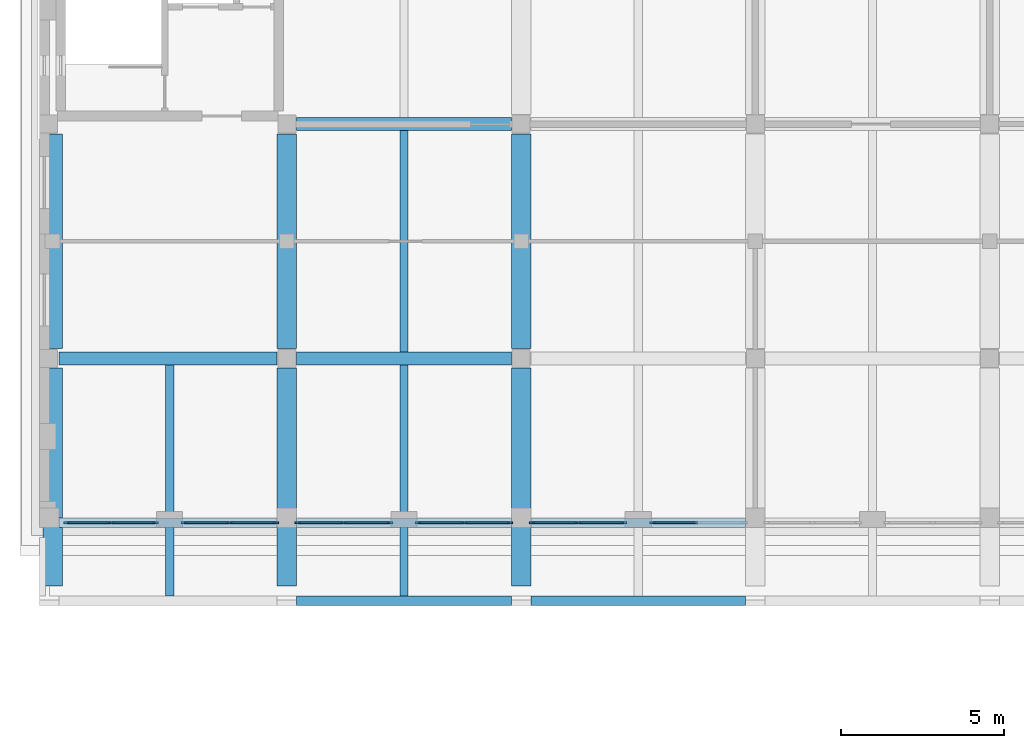
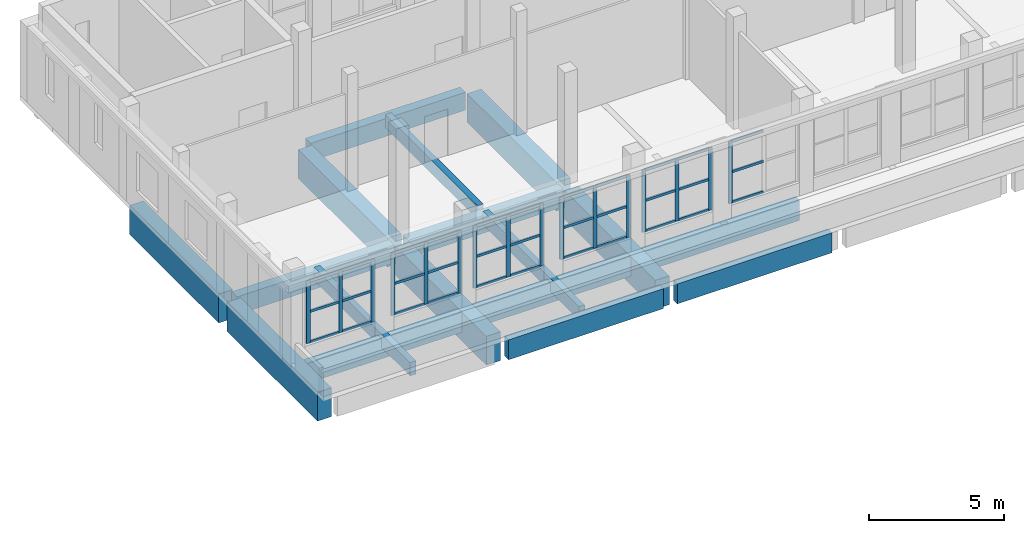
# One storey, part 2 of 30: 49 members, 17 beams, 6 elements without a shape of their own.
"""IFC4 building model written with IfcOpenShell, lengths in metres."""

import ifcopenshell
import ifcopenshell.guid

model = None  # the IFC model being written
_history = None  # IfcOwnerHistory: only IFC2X3 demands one
_inside = {}  # id of a spatial element -> (the spatial element, [elements in it])
_under = {}  # id of a project, library or spatial element -> (it, [spatial elements below it])
_declared = {}  # id of a project -> (the project, [libraries it declares])
_typed = {}  # id of a type object -> (the type object, [elements of that type])
_made_of = {}  # id of a material, layer set ... -> (it, [elements and type objects made of it])


def new_model(schema):
    """Start an empty IFC model of exactly this schema.

    Asked for "IFC4X3", IfcOpenShell would pick the latest addendum, in which some entities
    have other attributes; the version numbers below select the first issue.
    IFC2X3 requires an IfcOwnerHistory on every rooted entity: one is made here for all.
    """
    global model, _history
    if schema == "IFC4X3":
        model = ifcopenshell.file(schema_version=(4, 3, 0, 0))
    else:
        model = ifcopenshell.file(schema=schema)
    _inside.clear()
    _under.clear()
    _declared.clear()
    _typed.clear()
    _made_of.clear()
    _history = None
    if model.schema == "IFC2X3":
        org = make("IfcOrganization", Name="unknown")
        user = make(
            "IfcPersonAndOrganization",
            ThePerson=make("IfcPerson", FamilyName="unknown"),
            TheOrganization=org,
        )
        app = make(
            "IfcApplication",
            ApplicationDeveloper=org,
            Version="unknown",
            ApplicationFullName="unknown",
            ApplicationIdentifier="unknown",
        )
        _history = make(
            "IfcOwnerHistory",
            OwningUser=user,
            OwningApplication=app,
            ChangeAction="ADDED",
            CreationDate=0,
        )
    return model


def make(cls, **values):
    """One entity of the class cls with the attributes given. An attribute that is None is left unset."""
    return model.create_entity(
        cls, **{name: value for name, value in values.items() if value is not None}
    )


def rooted(cls, **values):
    """An entity with a GlobalId (a new one), such as an element, a storey or a relation."""
    return make(cls, GlobalId=ifcopenshell.guid.new(), OwnerHistory=_history, **values)


def si_unit(unit_type, name, prefix=None):
    """IfcSIUnit, for example si_unit("LENGTHUNIT", "METRE", prefix="MILLI")."""
    return make("IfcSIUnit", UnitType=unit_type, Prefix=prefix, Name=name)


def assignment(units):
    """IfcUnitAssignment: the units of a project."""
    return None if units is None else make("IfcUnitAssignment", Units=units)


def point(xyz):
    """IfcCartesianPoint."""
    return None if xyz is None else make("IfcCartesianPoint", Coordinates=xyz)


def direction(xyz):
    """IfcDirection."""
    return None if xyz is None else make("IfcDirection", DirectionRatios=xyz)


def frame(location, z_axis=None, x_axis=None):
    """IfcAxis2Placement3D, a coordinate frame: its origin and axes. An axis left out is left unset."""
    return make(
        "IfcAxis2Placement3D",
        Location=point(location),
        Axis=direction(z_axis),
        RefDirection=direction(x_axis),
    )


def frame_2d(location, x_axis=None):
    """IfcAxis2Placement2D, a coordinate frame in the plane: its origin and x axis."""
    return make(
        "IfcAxis2Placement2D", Location=point(location), RefDirection=direction(x_axis)
    )


def origin():
    """The frame at (0, 0, 0) with its axes left unset."""
    return frame((0.0, 0.0, 0.0))


def origin_2d():
    """The frame at (0, 0) in the plane with its x axis left unset."""
    return frame_2d((0.0, 0.0))


def place(relative_to, where):
    """IfcLocalPlacement: puts the frame where relative to a parent placement (None: the world)."""
    return make(
        "IfcLocalPlacement", PlacementRelTo=relative_to, RelativePlacement=where
    )


def context(
    kind, dimensions, precision=None, world=None, true_north=None, identifier=None
):
    """IfcGeometricRepresentationContext, for example the 3D "Model" context."""
    return make(
        "IfcGeometricRepresentationContext",
        ContextIdentifier=identifier,
        ContextType=kind,
        CoordinateSpaceDimension=dimensions,
        Precision=precision,
        WorldCoordinateSystem=world,
        TrueNorth=true_north,
    )


def subcontext(parent, identifier, kind, view, scale=None):
    """IfcGeometricRepresentationSubContext, for example "Body" below "Model"."""
    return make(
        "IfcGeometricRepresentationSubContext",
        ContextIdentifier=identifier,
        ContextType=kind,
        ParentContext=parent,
        TargetScale=scale,
        TargetView=view,
    )


def project(units=None, contexts=None):
    """IfcProject with its units and contexts."""
    return rooted(
        "IfcProject",
        Name="project",
        RepresentationContexts=contexts,
        UnitsInContext=assignment(units),
    )


def spatial(cls, under=None, at=None, **own):
    """A site, building, storey or space (cls), placed at a placement, below another one or the project."""
    s = rooted(cls, ObjectPlacement=at, **own)
    if under is not None:
        _under.setdefault(under.id(), (under, []))[1].append(s)
    return s


def profile(cls, at=None, kind="AREA", **sizes):
    """A parametric profile (cls). Its sizes go by their IFC names, for example OverallWidth=200.0."""
    return make(cls, ProfileType=kind, Position=at, **sizes)


def rectangle(**sizes):
    """IfcRectangleProfileDef."""
    return profile("IfcRectangleProfileDef", **sizes)


def extrude(swept, where, along, depth):
    """IfcExtrudedAreaSolid: the profile swept, set in the frame where, extruded along a direction by depth."""
    return make(
        "IfcExtrudedAreaSolid",
        SweptArea=swept,
        Position=where,
        ExtrudedDirection=direction(along),
        Depth=depth,
    )


def shape(context_of_items, identifier, shape_type, items):
    """IfcShapeRepresentation: the items that make up one representation, for example the "Body"."""
    return make(
        "IfcShapeRepresentation",
        ContextOfItems=context_of_items,
        RepresentationIdentifier=identifier,
        RepresentationType=shape_type,
        Items=items,
    )


def material(Name=None, Category=None):
    """IfcMaterial."""
    return make("IfcMaterial", Name=Name, Category=Category)


def layer(
    of_material, thickness, ventilated=None, Name=None, Category=None, Priority=None
):
    """IfcMaterialLayer: one layer of a wall or slab, of a material (None: an air gap)."""
    return make(
        "IfcMaterialLayer",
        Material=of_material,
        LayerThickness=thickness,
        IsVentilated=ventilated,
        Name=Name,
        Category=Category,
        Priority=Priority,
    )


def layer_set(layers, Name=None):
    """IfcMaterialLayerSet."""
    return make("IfcMaterialLayerSet", MaterialLayers=layers, LayerSetName=Name)


def material_profile(
    of_material, cross_section, Name=None, Category=None, Priority=None
):
    """IfcMaterialProfile: a cross section and its material."""
    return make(
        "IfcMaterialProfile",
        Name=Name,
        Material=of_material,
        Profile=cross_section,
        Priority=Priority,
        Category=Category,
    )


def profile_set(profiles, Name=None, composite=None):
    """IfcMaterialProfileSet."""
    return make(
        "IfcMaterialProfileSet",
        Name=Name,
        MaterialProfiles=profiles,
        CompositeProfile=composite,
    )


def made_of(thing, what):
    """Note that an element or type object is made of a material, layer set ...; save() writes the relation."""
    if what is not None:
        _made_of.setdefault(what.id(), (what, []))[1].append(thing)
    return thing


def type_object(cls, material=None, **own):
    """A type object (cls), such as IfcWallType, which elements share."""
    return made_of(rooted(cls, **own), material)


def element(
    cls,
    number,
    at=None,
    inside=None,
    cuts=None,
    type_object=None,
    material=None,
    context=None,
    identifier="Body",
    shape_type=None,
    held_by="IfcProductDefinitionShape",
    body=None,
    shapes=None,
    **own,
):
    """One element of the class cls, such as IfcWall. Its Tag is "e" and its number.

    at: its placement. inside: the storey or other place that contains it. cuts: it is an
    opening in that element (IfcRelVoidsElement). A single representation is given by context,
    identifier, shape_type and body (its items); several are given by shapes. held_by: the class
    of the entity that holds the representations. save() writes the other relations.
    """
    e = rooted(cls, Tag="e%d" % number, ObjectPlacement=at, **own)
    if body is not None:
        shapes = [shape(context, identifier, shape_type, body)]
    if shapes is not None:
        e.Representation = make(held_by, Representations=shapes)
    if inside is not None:
        _inside.setdefault(inside.id(), (inside, []))[1].append(e)
    if cuts is not None:
        rooted(
            "IfcRelVoidsElement", RelatingBuildingElement=cuts, RelatedOpeningElement=e
        )
    if type_object is not None:
        _typed.setdefault(type_object.id(), (type_object, []))[1].append(e)
    return made_of(e, material)


def aggregate(whole, parts):
    """IfcRelAggregates: a whole, such as a stair, and the parts it consists of."""
    return rooted("IfcRelAggregates", RelatingObject=whole, RelatedObjects=parts)


def save(model, path):
    """Write the relations noted so far, then the file.

    IfcRelAggregates (storeys below a building ...), IfcRelContainedInSpatialStructure (elements
    in a storey), IfcRelDefinesByType, IfcRelAssociatesMaterial and IfcRelDeclares: one each for
    every whole, place, type object, material and project.
    """
    for whole, parts in _under.values():
        aggregate(whole, parts)
    for where, things in _inside.values():
        rooted(
            "IfcRelContainedInSpatialStructure",
            RelatedElements=things,
            RelatingStructure=where,
        )
    for kind, things in _typed.values():
        rooted("IfcRelDefinesByType", RelatedObjects=things, RelatingType=kind)
    for what, things in _made_of.values():
        rooted("IfcRelAssociatesMaterial", RelatedObjects=things, RelatingMaterial=what)
    for by, libraries in _declared.values():
        rooted("IfcRelDeclares", RelatingContext=by, RelatedDefinitions=libraries)
    model.write(path)


model = new_model("IFC4")

# Units and contexts
model_context = context("Model", 3, precision=1e-05, world=origin(), true_north=direction((0.0, 1.0)))
body_context = subcontext(model_context, "Body", "Model", "MODEL_VIEW")
ifc_project = project(units=[si_unit("LENGTHUNIT", "METRE"), si_unit("AREAUNIT", "SQUARE_METRE"), si_unit("VOLUMEUNIT", "CUBIC_METRE"), si_unit("PLANEANGLEUNIT", "RADIAN"), si_unit("MASSUNIT", "GRAM", prefix="KILO")], contexts=[model_context])

# Site, building, storey
site_placement = place(None, origin())
site = spatial("IfcSite", under=ifc_project, at=site_placement, CompositionType="ELEMENT")
building_placement = place(site_placement, origin())
building = spatial("IfcBuilding", under=site, at=building_placement, Name="Ussher Court Research Institute", CompositionType="ELEMENT")
storey_placement = place(building_placement, frame((0.0, 0.0, 27.89990234375)))
storey = spatial("IfcBuildingStorey", under=building, at=storey_placement, Name="L06", CompositionType="ELEMENT", Elevation=27.89990234375)

# Curtain wall, member
ifc_material_1 = material(Name="Bronze anodised aluminium with insulated low-e glass", Category="aluminium")
ifc_layer = layer(ifc_material_1, 0.1201171875)
ifc_layer_set = layer_set([ifc_layer], Name="Bronze anodised aluminium with insulated low-e glass")
curtain_wall_type = type_object("IfcCurtainWallType", Name="Curtain wall attic gallery glazing", PredefinedType="NOTDEFINED", material=ifc_layer_set)
curtain_wall_1_placement = place(storey_placement, origin())
curtain_wall_1 = element("IfcCurtainWall", 1, at=curtain_wall_1_placement, inside=storey, type_object=curtain_wall_type, Name="Curtain wall CW11 L06", PredefinedType="NOTDEFINED")
ifc_material_2 = material(Name="Bronze anodised aluminium", Category="aluminium")
ifc_material_profile_1 = material_profile(ifc_material_2, rectangle(XDim=0.06005859375, YDim=0.159912109375, at=origin_2d()), Name="Mullion 60x160")
ifc_profile_set_1 = profile_set([ifc_material_profile_1], Name="Bronze anodised aluminium")
member_type_1 = type_object("IfcMemberType", Name="Mullion 60x160", PredefinedType="MULLION", material=ifc_profile_set_1)
member_1_placement = place(storey_placement, frame((21.429931640625, 70.949951171875, 0.60009765625), z_axis=(0.0, 0.0, 1.0), x_axis=(0.0, -1.0, 0.0)))
member_1 = element("IfcMember", 2, at=member_1_placement, type_object=member_type_1, Name="CW11 mullion 3", PredefinedType="MULLION", context=body_context, shape_type="SweptSolid", body=[
    extrude(rectangle(XDim=0.06005859375, YDim=0.159912109375, at=origin_2d()), origin(), (0.0, 0.0, 1.0), 2.800048828125),
])

# Curtain wall, members
curtain_wall_2_placement = place(storey_placement, origin())
curtain_wall_2 = element("IfcCurtainWall", 3, at=curtain_wall_2_placement, inside=storey, type_object=curtain_wall_type, Name="Curtain wall CW11 L06", PredefinedType="NOTDEFINED")
member_2_placement = place(storey_placement, frame((20.570068359375, 70.949951171875, 0.60009765625), z_axis=(0.0, 0.0, 1.0), x_axis=(0.0, -1.0, 0.0)))
member_2 = element("IfcMember", 4, at=member_2_placement, type_object=member_type_1, Name="CW11 mullion 1", PredefinedType="MULLION", context=body_context, shape_type="SweptSolid", body=[
    extrude(rectangle(XDim=0.06005859375, YDim=0.159912109375, at=origin_2d()), origin(), (0.0, 0.0, 1.0), 2.800048828125),
])
member_3_placement = place(storey_placement, frame((19.14990234375, 70.949951171875, 0.60009765625), z_axis=(0.0, 0.0, 1.0), x_axis=(0.0, -1.0, 0.0)))
member_3 = element("IfcMember", 5, at=member_3_placement, type_object=member_type_1, Name="CW11 mullion 2", PredefinedType="MULLION", context=body_context, shape_type="SweptSolid", body=[
    extrude(rectangle(XDim=0.06005859375, YDim=0.159912109375, at=origin_2d()), origin(), (0.0, 0.0, 1.0), 2.800048828125),
])
member_4_placement = place(storey_placement, frame((17.72998046875, 70.949951171875, 0.60009765625), z_axis=(0.0, 0.0, 1.0), x_axis=(0.0, -1.0, 0.0)))
member_4 = element("IfcMember", 6, at=member_4_placement, type_object=member_type_1, Name="CW11 mullion 3", PredefinedType="MULLION", context=body_context, shape_type="SweptSolid", body=[
    extrude(rectangle(XDim=0.06005859375, YDim=0.159912109375, at=origin_2d()), origin(), (0.0, 0.0, 1.0), 2.800048828125),
])

curtain_wall_3_placement = place(storey_placement, origin())
curtain_wall_3 = element("IfcCurtainWall", 7, at=curtain_wall_3_placement, inside=storey, type_object=curtain_wall_type, Name="Curtain wall CW11 L06", PredefinedType="NOTDEFINED")
member_5_placement = place(storey_placement, frame((17.070068359375, 70.949951171875, 0.60009765625), z_axis=(0.0, 0.0, 1.0), x_axis=(0.0, -1.0, 0.0)))
member_5 = element("IfcMember", 8, at=member_5_placement, type_object=member_type_1, Name="CW11 mullion 1", PredefinedType="MULLION", context=body_context, shape_type="SweptSolid", body=[
    extrude(rectangle(XDim=0.06005859375, YDim=0.159912109375, at=origin_2d()), origin(), (0.0, 0.0, 1.0), 2.800048828125),
])
member_6_placement = place(storey_placement, frame((15.64990234375, 70.949951171875, 0.60009765625), z_axis=(0.0, 0.0, 1.0), x_axis=(0.0, -1.0, 0.0)))
member_6 = element("IfcMember", 9, at=member_6_placement, type_object=member_type_1, Name="CW11 mullion 2", PredefinedType="MULLION", context=body_context, shape_type="SweptSolid", body=[
    extrude(rectangle(XDim=0.06005859375, YDim=0.159912109375, at=origin_2d()), origin(), (0.0, 0.0, 1.0), 2.800048828125),
])
member_7_placement = place(storey_placement, frame((14.22998046875, 70.949951171875, 0.60009765625), z_axis=(0.0, 0.0, 1.0), x_axis=(0.0, -1.0, 0.0)))
member_7 = element("IfcMember", 10, at=member_7_placement, type_object=member_type_1, Name="CW11 mullion 3", PredefinedType="MULLION", context=body_context, shape_type="SweptSolid", body=[
    extrude(rectangle(XDim=0.06005859375, YDim=0.159912109375, at=origin_2d()), origin(), (0.0, 0.0, 1.0), 2.800048828125),
])

curtain_wall_4_placement = place(storey_placement, origin())
curtain_wall_4 = element("IfcCurtainWall", 11, at=curtain_wall_4_placement, inside=storey, type_object=curtain_wall_type, Name="Curtain wall CW11 L06", PredefinedType="NOTDEFINED")
member_8_placement = place(storey_placement, frame((13.3701171875, 70.949951171875, 0.60009765625), z_axis=(0.0, 0.0, 1.0), x_axis=(0.0, -1.0, 0.0)))
member_8 = element("IfcMember", 12, at=member_8_placement, type_object=member_type_1, Name="CW11 mullion 1", PredefinedType="MULLION", context=body_context, shape_type="SweptSolid", body=[
    extrude(rectangle(XDim=0.06005859375, YDim=0.159912109375, at=origin_2d()), origin(), (0.0, 0.0, 1.0), 2.800048828125),
])
member_9_placement = place(storey_placement, frame((11.949951171875, 70.949951171875, 0.60009765625), z_axis=(0.0, 0.0, 1.0), x_axis=(0.0, -1.0, 0.0)))
member_9 = element("IfcMember", 13, at=member_9_placement, type_object=member_type_1, Name="CW11 mullion 2", PredefinedType="MULLION", context=body_context, shape_type="SweptSolid", body=[
    extrude(rectangle(XDim=0.06005859375, YDim=0.159912109375, at=origin_2d()), origin(), (0.0, 0.0, 1.0), 2.800048828125),
])
member_10_placement = place(storey_placement, frame((10.530029296875, 70.949951171875, 0.60009765625), z_axis=(0.0, 0.0, 1.0), x_axis=(0.0, -1.0, 0.0)))
member_10 = element("IfcMember", 14, at=member_10_placement, type_object=member_type_1, Name="CW11 mullion 3", PredefinedType="MULLION", context=body_context, shape_type="SweptSolid", body=[
    extrude(rectangle(XDim=0.06005859375, YDim=0.159912109375, at=origin_2d()), origin(), (0.0, 0.0, 1.0), 2.800048828125),
])

curtain_wall_5_placement = place(storey_placement, origin())
curtain_wall_5 = element("IfcCurtainWall", 15, at=curtain_wall_5_placement, inside=storey, type_object=curtain_wall_type, Name="Curtain wall CW11 L06", PredefinedType="NOTDEFINED")
member_11_placement = place(storey_placement, frame((9.8701171875, 70.949951171875, 0.60009765625), z_axis=(0.0, 0.0, 1.0), x_axis=(0.0, -1.0, 0.0)))
member_11 = element("IfcMember", 16, at=member_11_placement, type_object=member_type_1, Name="CW11 mullion 1", PredefinedType="MULLION", context=body_context, shape_type="SweptSolid", body=[
    extrude(rectangle(XDim=0.06005859375, YDim=0.159912109375, at=origin_2d()), origin(), (0.0, 0.0, 1.0), 2.800048828125),
])
member_12_placement = place(storey_placement, frame((8.449951171875, 70.949951171875, 0.60009765625), z_axis=(0.0, 0.0, 1.0), x_axis=(0.0, -1.0, 0.0)))
member_12 = element("IfcMember", 17, at=member_12_placement, type_object=member_type_1, Name="CW11 mullion 2", PredefinedType="MULLION", context=body_context, shape_type="SweptSolid", body=[
    extrude(rectangle(XDim=0.06005859375, YDim=0.159912109375, at=origin_2d()), origin(), (0.0, 0.0, 1.0), 2.800048828125),
])
member_13_placement = place(storey_placement, frame((7.030029296875, 70.949951171875, 0.60009765625), z_axis=(0.0, 0.0, 1.0), x_axis=(0.0, -1.0, 0.0)))
member_13 = element("IfcMember", 18, at=member_13_placement, type_object=member_type_1, Name="CW11 mullion 3", PredefinedType="MULLION", context=body_context, shape_type="SweptSolid", body=[
    extrude(rectangle(XDim=0.06005859375, YDim=0.159912109375, at=origin_2d()), origin(), (0.0, 0.0, 1.0), 2.800048828125),
])

curtain_wall_6_placement = place(storey_placement, origin())
curtain_wall_6 = element("IfcCurtainWall", 19, at=curtain_wall_6_placement, inside=storey, type_object=curtain_wall_type, Name="Curtain wall CW11 L06", PredefinedType="NOTDEFINED")
member_14_placement = place(storey_placement, frame((6.169921875, 70.949951171875, 0.60009765625), z_axis=(0.0, 0.0, 1.0), x_axis=(0.0, -1.0, 0.0)))
member_14 = element("IfcMember", 20, at=member_14_placement, type_object=member_type_1, Name="CW11 mullion 1", PredefinedType="MULLION", context=body_context, shape_type="SweptSolid", body=[
    extrude(rectangle(XDim=0.06005859375, YDim=0.159912109375, at=origin_2d()), origin(), (0.0, 0.0, 1.0), 2.800048828125),
])
member_15_placement = place(storey_placement, frame((4.800048828125, 70.949951171875, 0.60009765625), z_axis=(0.0, 0.0, 1.0), x_axis=(0.0, -1.0, 0.0)))
member_15 = element("IfcMember", 21, at=member_15_placement, type_object=member_type_1, Name="CW11 mullion 2", PredefinedType="MULLION", context=body_context, shape_type="SweptSolid", body=[
    extrude(rectangle(XDim=0.06005859375, YDim=0.159912109375, at=origin_2d()), origin(), (0.0, 0.0, 1.0), 2.800048828125),
])
member_16_placement = place(storey_placement, frame((3.429931640625, 70.949951171875, 0.60009765625), z_axis=(0.0, 0.0, 1.0), x_axis=(0.0, -1.0, 0.0)))
member_16 = element("IfcMember", 22, at=member_16_placement, type_object=member_type_1, Name="CW11 mullion 3", PredefinedType="MULLION", context=body_context, shape_type="SweptSolid", body=[
    extrude(rectangle(XDim=0.06005859375, YDim=0.159912109375, at=origin_2d()), origin(), (0.0, 0.0, 1.0), 2.800048828125),
])

# Beams
ifc_material_3 = material(Name="Concrete C35/45", Category="concrete")
ifc_material_profile_2 = material_profile(ifc_material_3, rectangle(XDim=0.25, YDim=0.60009765625, at=origin_2d()), Name="RC 250x600")
ifc_profile_set_2 = profile_set([ifc_material_profile_2], Name="Concrete C35/45")
beam_type_1 = type_object("IfcBeamType", Name="RC 250x600 beam", PredefinedType="BEAM", material=ifc_profile_set_2)
for number, where, z_axis, x_axis, name in (
    (23, (6.60009765625, 68.699951171875, -0.2998046875), (0.0, 1.0, 0.0), (-1.0, 0.0, 0.0), "B14 V5 L06-01"),
    (24, (13.800048828125, 68.699951171875, -0.2998046875), (0.0, 1.0, 0.0), (-1.0, 0.0, 0.0), "B14 V5 L06-02"),
):
    element("IfcBeam", number, at=place(storey_placement, frame(where, z_axis=z_axis, x_axis=x_axis)), inside=storey, type_object=beam_type_1, Name=name, PredefinedType="BEAM", context=body_context, shape_type="SweptSolid", body=[
        extrude(rectangle(XDim=0.25, YDim=0.60009765625, at=origin_2d()), origin(), (0.0, 0.0, 1.0), 7.10009765625),
    ])
beam_1_placement = place(storey_placement, frame((13.800048828125, 76.199951171875, -0.2998046875), z_axis=(0.0, 1.0, 0.0), x_axis=(-1.0, 0.0, 0.0)))
element("IfcBeam", 25, at=beam_1_placement, inside=storey, type_object=beam_type_1, Name="B14 V5 L06-03", PredefinedType="BEAM", context=body_context, shape_type="SweptSolid", body=[
    extrude(rectangle(XDim=0.25, YDim=0.60009765625, at=origin_2d()), origin(), (0.0, 0.0, 1.0), 6.800048828125),
])
ifc_material_4 = material(Name="Concrete C35/45", Category="concrete")
ifc_material_profile_3 = material_profile(ifc_material_4, rectangle(XDim=0.300048828125, YDim=0.89990234375, at=origin_2d()), Name="RC 300x900")
ifc_profile_set_3 = profile_set([ifc_material_profile_3], Name="Concrete C35/45")
beam_type_2 = type_object("IfcBeamType", Name="RC 300x900 beam", PredefinedType="BEAM", material=ifc_profile_set_3)
for number, where, z_axis, x_axis, name in (
    (26, (10.5, 68.550048828125, -0.64990234375), (1.0, 0.0, 0.0), (0.0, 1.0, 0.0), "SB2 V5 L06-02"),
    (27, (17.699951171875, 68.550048828125, -0.64990234375), (1.0, 0.0, 0.0), (0.0, 1.0, 0.0), "SB2 V5 L06-03"),
):
    element("IfcBeam", number, at=place(storey_placement, frame(where, z_axis=z_axis, x_axis=x_axis)), inside=storey, type_object=beam_type_2, Name=name, PredefinedType="BEAM", context=body_context, shape_type="SweptSolid", body=[
        extrude(rectangle(XDim=0.300048828125, YDim=0.89990234375, at=origin_2d()), origin(), (0.0, 0.0, 1.0), 6.60009765625),
    ])
beam_2_placement = place(storey_placement, frame((3.199951171875, 70.949951171875, -0.64990234375), z_axis=(1.0, 0.0, 0.0), x_axis=(0.0, 1.0, 0.0)))
element("IfcBeam", 28, at=beam_2_placement, inside=storey, type_object=beam_type_2, Name="SB2 V5 L06-23", PredefinedType="BEAM", context=body_context, shape_type="SweptSolid", body=[
    extrude(rectangle(XDim=0.300048828125, YDim=0.89990234375, at=origin_2d()), origin(), (0.0, 0.0, 1.0), 6.699951171875),
])
for number, where, z_axis, x_axis, name in (
    (29, (10.5, 70.949951171875, -0.64990234375), (1.0, 0.0, 0.0), (0.0, 1.0, 0.0), "SB2 V5 L06-24"),
    (30, (17.699951171875, 70.949951171875, -0.64990234375), (1.0, 0.0, 0.0), (0.0, 1.0, 0.0), "SB2 V5 L06-25"),
):
    element("IfcBeam", number, at=place(storey_placement, frame(where, z_axis=z_axis, x_axis=x_axis)), inside=storey, type_object=beam_type_2, Name=name, PredefinedType="BEAM", context=body_context, shape_type="SweptSolid", body=[
        extrude(rectangle(XDim=0.300048828125, YDim=0.89990234375, at=origin_2d()), origin(), (0.0, 0.0, 1.0), 6.60009765625),
    ])
ifc_material_5 = material(Name="Concrete C35/45", Category="concrete")
ifc_material_profile_4 = material_profile(ifc_material_5, rectangle(XDim=0.39990234375, YDim=0.800048828125, at=origin_2d()), Name="RC 400x800")
ifc_profile_set_4 = profile_set([ifc_material_profile_4], Name="Concrete C35/45")
beam_type_3 = type_object("IfcBeamType", Name="RC 400x800 beam", PredefinedType="BEAM", material=ifc_profile_set_4)
beam_3_placement = place(storey_placement, frame((3.199951171875, 76.0, -0.599853515625), z_axis=(1.0, 0.0, 0.0), x_axis=(0.0, 1.0, 0.0)))
element("IfcBeam", 31, at=beam_3_placement, inside=storey, type_object=beam_type_3, Name="B17 V5 L06-01", PredefinedType="BEAM", context=body_context, shape_type="SweptSolid", body=[
    extrude(rectangle(XDim=0.39990234375, YDim=0.800048828125, at=origin_2d()), origin(), (0.0, 0.0, 1.0), 6.699951171875),
])
for number, where, z_axis, x_axis, name in (
    (32, (10.5, 76.0, -0.599853515625), (1.0, 0.0, 0.0), (0.0, 1.0, 0.0), "B17 V5 L06-02"),
    (33, (10.5, 83.199951171875, -0.599853515625), (1.0, 0.0, 0.0), (0.0, 1.0, 0.0), "B17 V5 L06-12"),
):
    element("IfcBeam", number, at=place(storey_placement, frame(where, z_axis=z_axis, x_axis=x_axis)), inside=storey, type_object=beam_type_3, Name=name, PredefinedType="BEAM", context=body_context, shape_type="SweptSolid", body=[
        extrude(rectangle(XDim=0.39990234375, YDim=0.800048828125, at=origin_2d()), origin(), (0.0, 0.0, 1.0), 6.60009765625),
    ])
ifc_material_6 = material(Name="Concrete C35/45", Category="concrete")
ifc_material_profile_5 = material_profile(ifc_material_6, rectangle(XDim=0.60009765625, YDim=1.300048828125, at=origin_2d()), Name="RC 600x1300")
ifc_profile_set_5 = profile_set([ifc_material_profile_5], Name="Concrete C35/45")
beam_type_4 = type_object("IfcBeamType", Name="RC 600x1300 beam", PredefinedType="BEAM", material=ifc_profile_set_5)
beam_4_placement = place(storey_placement, frame((3.0, 69.0, -0.849853515625), z_axis=(0.0, 1.0, 0.0), x_axis=(-1.0, 0.0, 0.0)))
element("IfcBeam", 34, at=beam_4_placement, inside=storey, type_object=beam_type_4, Name="TB1 V5 L06-01", PredefinedType="BEAM", context=body_context, shape_type="SweptSolid", body=[
    extrude(rectangle(XDim=0.60009765625, YDim=1.300048828125, at=origin_2d()), origin(), (0.0, 0.0, 1.0), 6.699951171875),
])
beam_5_placement = place(storey_placement, frame((3.0, 76.300048828125, -0.849853515625), z_axis=(0.0, 1.0, 0.0), x_axis=(-1.0, 0.0, 0.0)))
element("IfcBeam", 35, at=beam_5_placement, inside=storey, type_object=beam_type_4, Name="TB1 V5 L06-02", PredefinedType="BEAM", context=body_context, shape_type="SweptSolid", body=[
    extrude(rectangle(XDim=0.60009765625, YDim=1.300048828125, at=origin_2d()), origin(), (0.0, 0.0, 1.0), 6.599853515625),
])
beam_6_placement = place(storey_placement, frame((10.199951171875, 69.0, -0.849853515625), z_axis=(0.0, 1.0, 0.0), x_axis=(-1.0, 0.0, 0.0)))
element("IfcBeam", 36, at=beam_6_placement, inside=storey, type_object=beam_type_4, Name="TB1 V5 L06-03", PredefinedType="BEAM", context=body_context, shape_type="SweptSolid", body=[
    extrude(rectangle(XDim=0.60009765625, YDim=1.300048828125, at=origin_2d()), origin(), (0.0, 0.0, 1.0), 6.699951171875),
])
beam_7_placement = place(storey_placement, frame((10.199951171875, 76.300048828125, -0.849853515625), z_axis=(0.0, 1.0, 0.0), x_axis=(-1.0, 0.0, 0.0)))
element("IfcBeam", 37, at=beam_7_placement, inside=storey, type_object=beam_type_4, Name="TB1 V5 L06-04", PredefinedType="BEAM", context=body_context, shape_type="SweptSolid", body=[
    extrude(rectangle(XDim=0.60009765625, YDim=1.300048828125, at=origin_2d()), origin(), (0.0, 0.0, 1.0), 6.599853515625),
])
beam_8_placement = place(storey_placement, frame((17.39990234375, 69.0, -0.849853515625), z_axis=(0.0, 1.0, 0.0), x_axis=(-1.0, 0.0, 0.0)))
element("IfcBeam", 38, at=beam_8_placement, inside=storey, type_object=beam_type_4, Name="TB1 V5 L06-05", PredefinedType="BEAM", context=body_context, shape_type="SweptSolid", body=[
    extrude(rectangle(XDim=0.60009765625, YDim=1.300048828125, at=origin_2d()), origin(), (0.0, 0.0, 1.0), 6.699951171875),
])
beam_9_placement = place(storey_placement, frame((17.39990234375, 76.300048828125, -0.849853515625), z_axis=(0.0, 1.0, 0.0), x_axis=(-1.0, 0.0, 0.0)))
element("IfcBeam", 39, at=beam_9_placement, inside=storey, type_object=beam_type_4, Name="TB1 V5 L06-06", PredefinedType="BEAM", context=body_context, shape_type="SweptSolid", body=[
    extrude(rectangle(XDim=0.60009765625, YDim=1.300048828125, at=origin_2d()), origin(), (0.0, 0.0, 1.0), 6.599853515625),
])

# Member
ifc_material_7 = material(Name="Bronze anodised aluminium", Category="aluminium")
ifc_material_profile_6 = material_profile(ifc_material_7, rectangle(XDim=0.06005859375, YDim=0.1201171875, at=origin_2d()), Name="Transom 60x120")
ifc_profile_set_6 = profile_set([ifc_material_profile_6], Name="Bronze anodised aluminium")
member_type_2 = type_object("IfcMemberType", Name="Transom 60x120", PredefinedType="USERDEFINED", material=ifc_profile_set_6)
member_17_placement = place(storey_placement, frame((22.820068359375, 70.949951171875, 0.630126953125), z_axis=(-1.0, 0.0, 0.0), x_axis=(0.0, -1.0, 0.0)))
member_17 = element("IfcMember", 40, at=member_17_placement, type_object=member_type_2, Name="CW11 transom 2.1", ObjectType="TRANSOM", PredefinedType="USERDEFINED", context=body_context, shape_type="SweptSolid", body=[
    extrude(rectangle(XDim=0.06005859375, YDim=0.1201171875, at=origin_2d()), origin(), (0.0, 0.0, 1.0), 1.360107421875),
])

member_18_placement = place(storey_placement, frame((22.820068359375, 70.949951171875, 2.0), z_axis=(-1.0, 0.0, 0.0), x_axis=(0.0, -1.0, 0.0)))
member_18 = element("IfcMember", 41, at=member_18_placement, type_object=member_type_2, Name="CW11 transom 2.2", ObjectType="TRANSOM", PredefinedType="USERDEFINED", context=body_context, shape_type="SweptSolid", body=[
    extrude(rectangle(XDim=0.06005859375, YDim=0.1201171875, at=origin_2d()), origin(), (0.0, 0.0, 1.0), 1.360107421875),
])

member_19_placement = place(storey_placement, frame((22.820068359375, 70.949951171875, 3.3701171875), z_axis=(-1.0, 0.0, 0.0), x_axis=(0.0, -1.0, 0.0)))
member_19 = element("IfcMember", 42, at=member_19_placement, type_object=member_type_2, Name="CW11 transom 2.3", ObjectType="TRANSOM", PredefinedType="USERDEFINED", context=body_context, shape_type="SweptSolid", body=[
    extrude(rectangle(XDim=0.06005859375, YDim=0.1201171875, at=origin_2d()), origin(), (0.0, 0.0, 1.0), 1.360107421875),
])

aggregate(curtain_wall_1, [member_1, member_17, member_18, member_19])

member_20_placement = place(storey_placement, frame((20.5400390625, 70.949951171875, 0.630126953125), z_axis=(-1.0, 0.0, 0.0), x_axis=(0.0, -1.0, 0.0)))
member_20 = element("IfcMember", 43, at=member_20_placement, type_object=member_type_2, Name="CW11 transom 1.1", ObjectType="TRANSOM", PredefinedType="USERDEFINED", context=body_context, shape_type="SweptSolid", body=[
    extrude(rectangle(XDim=0.06005859375, YDim=0.1201171875, at=origin_2d()), origin(), (0.0, 0.0, 1.0), 1.360107421875),
])

member_21_placement = place(storey_placement, frame((20.5400390625, 70.949951171875, 2.0), z_axis=(-1.0, 0.0, 0.0), x_axis=(0.0, -1.0, 0.0)))
member_21 = element("IfcMember", 44, at=member_21_placement, type_object=member_type_2, Name="CW11 transom 1.2", ObjectType="TRANSOM", PredefinedType="USERDEFINED", context=body_context, shape_type="SweptSolid", body=[
    extrude(rectangle(XDim=0.06005859375, YDim=0.1201171875, at=origin_2d()), origin(), (0.0, 0.0, 1.0), 1.360107421875),
])

member_22_placement = place(storey_placement, frame((20.5400390625, 70.949951171875, 3.3701171875), z_axis=(-1.0, 0.0, 0.0), x_axis=(0.0, -1.0, 0.0)))
member_22 = element("IfcMember", 45, at=member_22_placement, type_object=member_type_2, Name="CW11 transom 1.3", ObjectType="TRANSOM", PredefinedType="USERDEFINED", context=body_context, shape_type="SweptSolid", body=[
    extrude(rectangle(XDim=0.06005859375, YDim=0.1201171875, at=origin_2d()), origin(), (0.0, 0.0, 1.0), 1.360107421875),
])

member_23_placement = place(storey_placement, frame((19.1201171875, 70.949951171875, 0.630126953125), z_axis=(-1.0, 0.0, 0.0), x_axis=(0.0, -1.0, 0.0)))
member_23 = element("IfcMember", 46, at=member_23_placement, type_object=member_type_2, Name="CW11 transom 2.1", ObjectType="TRANSOM", PredefinedType="USERDEFINED", context=body_context, shape_type="SweptSolid", body=[
    extrude(rectangle(XDim=0.06005859375, YDim=0.1201171875, at=origin_2d()), origin(), (0.0, 0.0, 1.0), 1.360107421875),
])

member_24_placement = place(storey_placement, frame((19.1201171875, 70.949951171875, 2.0), z_axis=(-1.0, 0.0, 0.0), x_axis=(0.0, -1.0, 0.0)))
member_24 = element("IfcMember", 47, at=member_24_placement, type_object=member_type_2, Name="CW11 transom 2.2", ObjectType="TRANSOM", PredefinedType="USERDEFINED", context=body_context, shape_type="SweptSolid", body=[
    extrude(rectangle(XDim=0.06005859375, YDim=0.1201171875, at=origin_2d()), origin(), (0.0, 0.0, 1.0), 1.360107421875),
])

member_25_placement = place(storey_placement, frame((19.1201171875, 70.949951171875, 3.3701171875), z_axis=(-1.0, 0.0, 0.0), x_axis=(0.0, -1.0, 0.0)))
member_25 = element("IfcMember", 48, at=member_25_placement, type_object=member_type_2, Name="CW11 transom 2.3", ObjectType="TRANSOM", PredefinedType="USERDEFINED", context=body_context, shape_type="SweptSolid", body=[
    extrude(rectangle(XDim=0.06005859375, YDim=0.1201171875, at=origin_2d()), origin(), (0.0, 0.0, 1.0), 1.360107421875),
])

aggregate(curtain_wall_2, [member_2, member_3, member_4, member_20, member_21, member_22, member_23, member_24, member_25])

member_26_placement = place(storey_placement, frame((17.0400390625, 70.949951171875, 0.630126953125), z_axis=(-1.0, 0.0, 0.0), x_axis=(0.0, -1.0, 0.0)))
member_26 = element("IfcMember", 49, at=member_26_placement, type_object=member_type_2, Name="CW11 transom 1.1", ObjectType="TRANSOM", PredefinedType="USERDEFINED", context=body_context, shape_type="SweptSolid", body=[
    extrude(rectangle(XDim=0.06005859375, YDim=0.1201171875, at=origin_2d()), origin(), (0.0, 0.0, 1.0), 1.360107421875),
])

member_27_placement = place(storey_placement, frame((17.0400390625, 70.949951171875, 2.0), z_axis=(-1.0, 0.0, 0.0), x_axis=(0.0, -1.0, 0.0)))
member_27 = element("IfcMember", 50, at=member_27_placement, type_object=member_type_2, Name="CW11 transom 1.2", ObjectType="TRANSOM", PredefinedType="USERDEFINED", context=body_context, shape_type="SweptSolid", body=[
    extrude(rectangle(XDim=0.06005859375, YDim=0.1201171875, at=origin_2d()), origin(), (0.0, 0.0, 1.0), 1.360107421875),
])

member_28_placement = place(storey_placement, frame((17.0400390625, 70.949951171875, 3.3701171875), z_axis=(-1.0, 0.0, 0.0), x_axis=(0.0, -1.0, 0.0)))
member_28 = element("IfcMember", 51, at=member_28_placement, type_object=member_type_2, Name="CW11 transom 1.3", ObjectType="TRANSOM", PredefinedType="USERDEFINED", context=body_context, shape_type="SweptSolid", body=[
    extrude(rectangle(XDim=0.06005859375, YDim=0.1201171875, at=origin_2d()), origin(), (0.0, 0.0, 1.0), 1.360107421875),
])

member_29_placement = place(storey_placement, frame((15.6201171875, 70.949951171875, 0.630126953125), z_axis=(-1.0, 0.0, 0.0), x_axis=(0.0, -1.0, 0.0)))
member_29 = element("IfcMember", 52, at=member_29_placement, type_object=member_type_2, Name="CW11 transom 2.1", ObjectType="TRANSOM", PredefinedType="USERDEFINED", context=body_context, shape_type="SweptSolid", body=[
    extrude(rectangle(XDim=0.06005859375, YDim=0.1201171875, at=origin_2d()), origin(), (0.0, 0.0, 1.0), 1.360107421875),
])

member_30_placement = place(storey_placement, frame((15.6201171875, 70.949951171875, 2.0), z_axis=(-1.0, 0.0, 0.0), x_axis=(0.0, -1.0, 0.0)))
member_30 = element("IfcMember", 53, at=member_30_placement, type_object=member_type_2, Name="CW11 transom 2.2", ObjectType="TRANSOM", PredefinedType="USERDEFINED", context=body_context, shape_type="SweptSolid", body=[
    extrude(rectangle(XDim=0.06005859375, YDim=0.1201171875, at=origin_2d()), origin(), (0.0, 0.0, 1.0), 1.360107421875),
])

member_31_placement = place(storey_placement, frame((15.6201171875, 70.949951171875, 3.3701171875), z_axis=(-1.0, 0.0, 0.0), x_axis=(0.0, -1.0, 0.0)))
member_31 = element("IfcMember", 54, at=member_31_placement, type_object=member_type_2, Name="CW11 transom 2.3", ObjectType="TRANSOM", PredefinedType="USERDEFINED", context=body_context, shape_type="SweptSolid", body=[
    extrude(rectangle(XDim=0.06005859375, YDim=0.1201171875, at=origin_2d()), origin(), (0.0, 0.0, 1.0), 1.360107421875),
])

aggregate(curtain_wall_3, [member_5, member_6, member_7, member_26, member_27, member_28, member_29, member_30, member_31])

member_32_placement = place(storey_placement, frame((13.340087890625, 70.949951171875, 0.630126953125), z_axis=(-1.0, 0.0, 0.0), x_axis=(0.0, -1.0, 0.0)))
member_32 = element("IfcMember", 55, at=member_32_placement, type_object=member_type_2, Name="CW11 transom 1.1", ObjectType="TRANSOM", PredefinedType="USERDEFINED", context=body_context, shape_type="SweptSolid", body=[
    extrude(rectangle(XDim=0.06005859375, YDim=0.1201171875, at=origin_2d()), origin(), (0.0, 0.0, 1.0), 1.360107421875),
])

member_33_placement = place(storey_placement, frame((13.340087890625, 70.949951171875, 2.0), z_axis=(-1.0, 0.0, 0.0), x_axis=(0.0, -1.0, 0.0)))
member_33 = element("IfcMember", 56, at=member_33_placement, type_object=member_type_2, Name="CW11 transom 1.2", ObjectType="TRANSOM", PredefinedType="USERDEFINED", context=body_context, shape_type="SweptSolid", body=[
    extrude(rectangle(XDim=0.06005859375, YDim=0.1201171875, at=origin_2d()), origin(), (0.0, 0.0, 1.0), 1.360107421875),
])

member_34_placement = place(storey_placement, frame((13.340087890625, 70.949951171875, 3.3701171875), z_axis=(-1.0, 0.0, 0.0), x_axis=(0.0, -1.0, 0.0)))
member_34 = element("IfcMember", 57, at=member_34_placement, type_object=member_type_2, Name="CW11 transom 1.3", ObjectType="TRANSOM", PredefinedType="USERDEFINED", context=body_context, shape_type="SweptSolid", body=[
    extrude(rectangle(XDim=0.06005859375, YDim=0.1201171875, at=origin_2d()), origin(), (0.0, 0.0, 1.0), 1.360107421875),
])

member_35_placement = place(storey_placement, frame((11.919921875, 70.949951171875, 0.630126953125), z_axis=(-1.0, 0.0, 0.0), x_axis=(0.0, -1.0, 0.0)))
member_35 = element("IfcMember", 58, at=member_35_placement, type_object=member_type_2, Name="CW11 transom 2.1", ObjectType="TRANSOM", PredefinedType="USERDEFINED", context=body_context, shape_type="SweptSolid", body=[
    extrude(rectangle(XDim=0.06005859375, YDim=0.1201171875, at=origin_2d()), origin(), (0.0, 0.0, 1.0), 1.35986328125),
])

member_36_placement = place(storey_placement, frame((11.919921875, 70.949951171875, 2.0), z_axis=(-1.0, 0.0, 0.0), x_axis=(0.0, -1.0, 0.0)))
member_36 = element("IfcMember", 59, at=member_36_placement, type_object=member_type_2, Name="CW11 transom 2.2", ObjectType="TRANSOM", PredefinedType="USERDEFINED", context=body_context, shape_type="SweptSolid", body=[
    extrude(rectangle(XDim=0.06005859375, YDim=0.1201171875, at=origin_2d()), origin(), (0.0, 0.0, 1.0), 1.35986328125),
])

member_37_placement = place(storey_placement, frame((11.919921875, 70.949951171875, 3.3701171875), z_axis=(-1.0, 0.0, 0.0), x_axis=(0.0, -1.0, 0.0)))
member_37 = element("IfcMember", 60, at=member_37_placement, type_object=member_type_2, Name="CW11 transom 2.3", ObjectType="TRANSOM", PredefinedType="USERDEFINED", context=body_context, shape_type="SweptSolid", body=[
    extrude(rectangle(XDim=0.06005859375, YDim=0.1201171875, at=origin_2d()), origin(), (0.0, 0.0, 1.0), 1.35986328125),
])

aggregate(curtain_wall_4, [member_8, member_9, member_10, member_32, member_33, member_34, member_35, member_36, member_37])

member_38_placement = place(storey_placement, frame((9.840087890625, 70.949951171875, 0.630126953125), z_axis=(-1.0, 0.0, 0.0), x_axis=(0.0, -1.0, 0.0)))
member_38 = element("IfcMember", 61, at=member_38_placement, type_object=member_type_2, Name="CW11 transom 1.1", ObjectType="TRANSOM", PredefinedType="USERDEFINED", context=body_context, shape_type="SweptSolid", body=[
    extrude(rectangle(XDim=0.06005859375, YDim=0.1201171875, at=origin_2d()), origin(), (0.0, 0.0, 1.0), 1.360107421875),
])

member_39_placement = place(storey_placement, frame((9.840087890625, 70.949951171875, 2.0), z_axis=(-1.0, 0.0, 0.0), x_axis=(0.0, -1.0, 0.0)))
member_39 = element("IfcMember", 62, at=member_39_placement, type_object=member_type_2, Name="CW11 transom 1.2", ObjectType="TRANSOM", PredefinedType="USERDEFINED", context=body_context, shape_type="SweptSolid", body=[
    extrude(rectangle(XDim=0.06005859375, YDim=0.1201171875, at=origin_2d()), origin(), (0.0, 0.0, 1.0), 1.360107421875),
])

member_40_placement = place(storey_placement, frame((9.840087890625, 70.949951171875, 3.3701171875), z_axis=(-1.0, 0.0, 0.0), x_axis=(0.0, -1.0, 0.0)))
member_40 = element("IfcMember", 63, at=member_40_placement, type_object=member_type_2, Name="CW11 transom 1.3", ObjectType="TRANSOM", PredefinedType="USERDEFINED", context=body_context, shape_type="SweptSolid", body=[
    extrude(rectangle(XDim=0.06005859375, YDim=0.1201171875, at=origin_2d()), origin(), (0.0, 0.0, 1.0), 1.360107421875),
])

member_41_placement = place(storey_placement, frame((8.419921875, 70.949951171875, 0.630126953125), z_axis=(-1.0, 0.0, 0.0), x_axis=(0.0, -1.0, 0.0)))
member_41 = element("IfcMember", 64, at=member_41_placement, type_object=member_type_2, Name="CW11 transom 2.1", ObjectType="TRANSOM", PredefinedType="USERDEFINED", context=body_context, shape_type="SweptSolid", body=[
    extrude(rectangle(XDim=0.06005859375, YDim=0.1201171875, at=origin_2d()), origin(), (0.0, 0.0, 1.0), 1.35986328125),
])

member_42_placement = place(storey_placement, frame((8.419921875, 70.949951171875, 2.0), z_axis=(-1.0, 0.0, 0.0), x_axis=(0.0, -1.0, 0.0)))
member_42 = element("IfcMember", 65, at=member_42_placement, type_object=member_type_2, Name="CW11 transom 2.2", ObjectType="TRANSOM", PredefinedType="USERDEFINED", context=body_context, shape_type="SweptSolid", body=[
    extrude(rectangle(XDim=0.06005859375, YDim=0.1201171875, at=origin_2d()), origin(), (0.0, 0.0, 1.0), 1.35986328125),
])

member_43_placement = place(storey_placement, frame((8.419921875, 70.949951171875, 3.3701171875), z_axis=(-1.0, 0.0, 0.0), x_axis=(0.0, -1.0, 0.0)))
member_43 = element("IfcMember", 66, at=member_43_placement, type_object=member_type_2, Name="CW11 transom 2.3", ObjectType="TRANSOM", PredefinedType="USERDEFINED", context=body_context, shape_type="SweptSolid", body=[
    extrude(rectangle(XDim=0.06005859375, YDim=0.1201171875, at=origin_2d()), origin(), (0.0, 0.0, 1.0), 1.35986328125),
])

aggregate(curtain_wall_5, [member_11, member_12, member_13, member_38, member_39, member_40, member_41, member_42, member_43])

member_44_placement = place(storey_placement, frame((6.139892578125, 70.949951171875, 0.630126953125), z_axis=(-1.0, 0.0, 0.0), x_axis=(0.0, -1.0, 0.0)))
member_44 = element("IfcMember", 67, at=member_44_placement, type_object=member_type_2, Name="CW11 transom 1.1", ObjectType="TRANSOM", PredefinedType="USERDEFINED", context=body_context, shape_type="SweptSolid", body=[
    extrude(rectangle(XDim=0.06005859375, YDim=0.1201171875, at=origin_2d()), origin(), (0.0, 0.0, 1.0), 1.309814453125),
])

member_45_placement = place(storey_placement, frame((6.139892578125, 70.949951171875, 2.0), z_axis=(-1.0, 0.0, 0.0), x_axis=(0.0, -1.0, 0.0)))
member_45 = element("IfcMember", 68, at=member_45_placement, type_object=member_type_2, Name="CW11 transom 1.2", ObjectType="TRANSOM", PredefinedType="USERDEFINED", context=body_context, shape_type="SweptSolid", body=[
    extrude(rectangle(XDim=0.06005859375, YDim=0.1201171875, at=origin_2d()), origin(), (0.0, 0.0, 1.0), 1.309814453125),
])

member_46_placement = place(storey_placement, frame((6.139892578125, 70.949951171875, 3.3701171875), z_axis=(-1.0, 0.0, 0.0), x_axis=(0.0, -1.0, 0.0)))
member_46 = element("IfcMember", 69, at=member_46_placement, type_object=member_type_2, Name="CW11 transom 1.3", ObjectType="TRANSOM", PredefinedType="USERDEFINED", context=body_context, shape_type="SweptSolid", body=[
    extrude(rectangle(XDim=0.06005859375, YDim=0.1201171875, at=origin_2d()), origin(), (0.0, 0.0, 1.0), 1.309814453125),
])

member_47_placement = place(storey_placement, frame((4.77001953125, 70.949951171875, 0.630126953125), z_axis=(-1.0, 0.0, 0.0), x_axis=(0.0, -1.0, 0.0)))
member_47 = element("IfcMember", 70, at=member_47_placement, type_object=member_type_2, Name="CW11 transom 2.1", ObjectType="TRANSOM", PredefinedType="USERDEFINED", context=body_context, shape_type="SweptSolid", body=[
    extrude(rectangle(XDim=0.06005859375, YDim=0.1201171875, at=origin_2d()), origin(), (0.0, 0.0, 1.0), 1.31005859375),
])

member_48_placement = place(storey_placement, frame((4.77001953125, 70.949951171875, 2.0), z_axis=(-1.0, 0.0, 0.0), x_axis=(0.0, -1.0, 0.0)))
member_48 = element("IfcMember", 71, at=member_48_placement, type_object=member_type_2, Name="CW11 transom 2.2", ObjectType="TRANSOM", PredefinedType="USERDEFINED", context=body_context, shape_type="SweptSolid", body=[
    extrude(rectangle(XDim=0.06005859375, YDim=0.1201171875, at=origin_2d()), origin(), (0.0, 0.0, 1.0), 1.31005859375),
])

member_49_placement = place(storey_placement, frame((4.77001953125, 70.949951171875, 3.3701171875), z_axis=(-1.0, 0.0, 0.0), x_axis=(0.0, -1.0, 0.0)))
member_49 = element("IfcMember", 72, at=member_49_placement, type_object=member_type_2, Name="CW11 transom 2.3", ObjectType="TRANSOM", PredefinedType="USERDEFINED", context=body_context, shape_type="SweptSolid", body=[
    extrude(rectangle(XDim=0.06005859375, YDim=0.1201171875, at=origin_2d()), origin(), (0.0, 0.0, 1.0), 1.31005859375),
])

aggregate(curtain_wall_6, [member_14, member_15, member_16, member_44, member_45, member_46, member_47, member_48, member_49])

save(model, "model.ifc")
